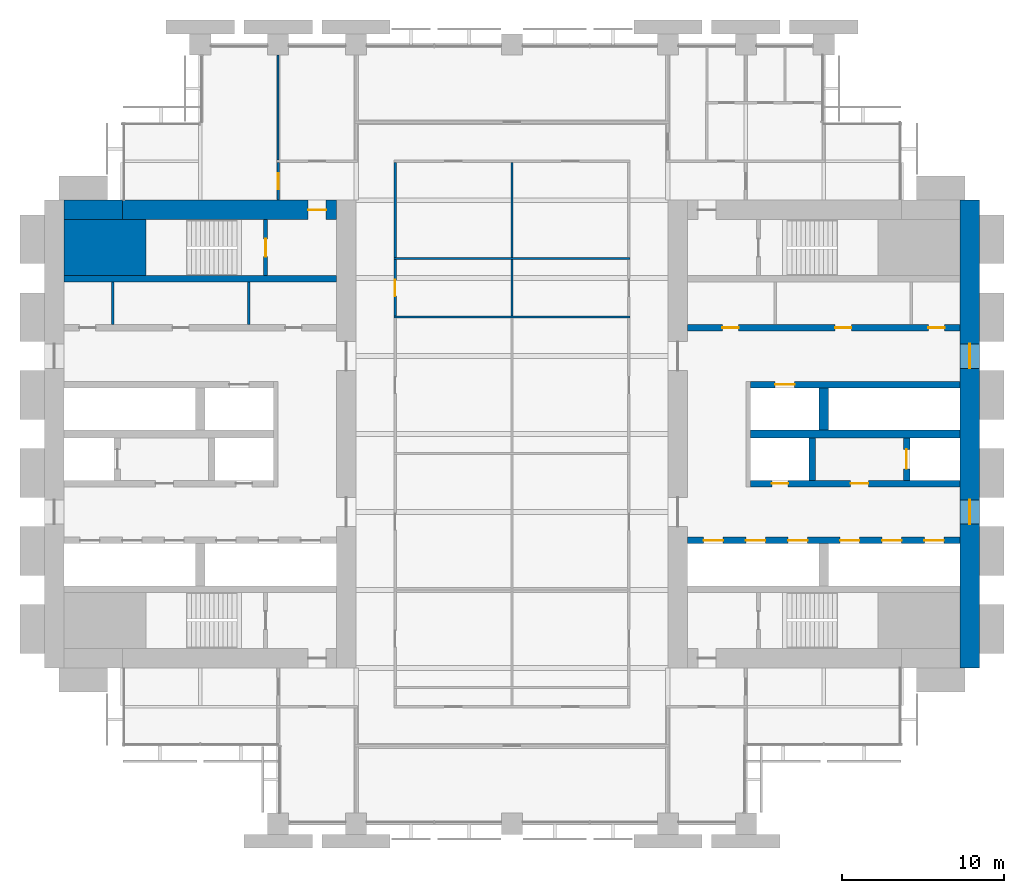
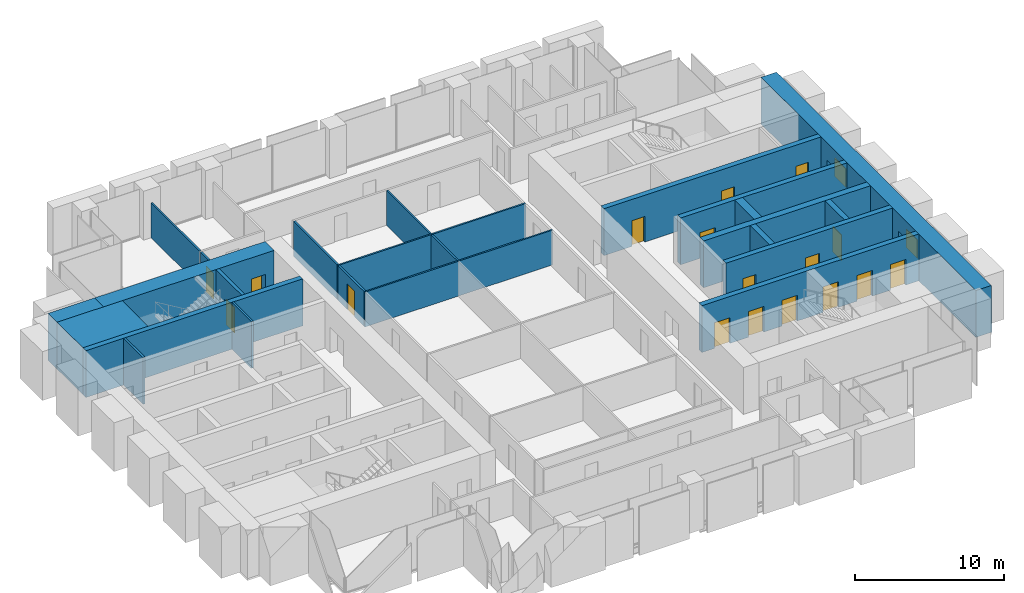
# One storey, part 11 of 14: 24 walls, 17 doors, 2 windows, 19 openings.
"""IFC4 building model written with IfcOpenShell, lengths in metres."""

from ifc_helpers import new_model, si_unit, direction, frame, frame_2d, origin, place, context, subcontext, project, spatial, rectangle, extrude, material, layer, layer_set, type_object, element, fill, save


model = new_model("IFC4")

# Units and contexts
model_context = context("Model", 3, precision=1e-05, world=origin(), true_north=direction((0.0, 1.0)))
body_context = subcontext(model_context, "Body", "Model", "MODEL_VIEW")
ifc_project = project(units=[si_unit("LENGTHUNIT", "METRE"), si_unit("AREAUNIT", "SQUARE_METRE"), si_unit("VOLUMEUNIT", "CUBIC_METRE"), si_unit("PLANEANGLEUNIT", "RADIAN"), si_unit("MASSUNIT", "GRAM", prefix="KILO")], contexts=[model_context])

# Site, building, storey
site_placement = place(None, origin())
site = spatial("IfcSite", under=ifc_project, at=site_placement, CompositionType="ELEMENT")
building_placement = place(site_placement, origin())
building = spatial("IfcBuilding", under=site, at=building_placement, Name="Baori Bourse Tower", CompositionType="ELEMENT")
storey_placement = place(building_placement, frame((0.0, 0.0, 79.0)))
storey = spatial("IfcBuildingStorey", under=building, at=storey_placement, Name="L17", CompositionType="ELEMENT", Elevation=79.0)

# Walls
ifc_material_1 = material(Name="Concrete f'c 70 MPa", Category="concrete")
wall_type_1 = type_object("IfcWallType", Name="Core corner block f'c 70", PredefinedType="SHEAR", material=ifc_material_1)
wall_1_placement = place(storey_placement, frame((1.199951171875, 35.47509765625, 0.0), z_axis=(0.0, 0.0, 1.0), x_axis=(1.0, 0.0, 0.0)))
element("IfcWall", 1, at=wall_1_placement, inside=storey, type_object=wall_type_1, Name="Core wall W21", PredefinedType="SHEAR", context=body_context, shape_type="SweptSolid", body=[
    extrude(rectangle(XDim=5.050048828125, YDim=3.449951171875, at=frame_2d((2.52490234375, 0.0))), origin(), (0.0, 0.0, 1.0), 3.840087890625),
])
ifc_material_2 = material(Name="Blockwork partition", Category="masonry")
ifc_layer_1 = layer(ifc_material_2, 0.14990234375)
ifc_layer_set_1 = layer_set([ifc_layer_1], Name="Core partition 150")
wall_type_2 = type_object("IfcWallType", Name="Core partition 150", PredefinedType="PARTITIONING", material=ifc_layer_set_1)
for number, where, z_axis, x_axis, name in (
    (2, (4.199951171875, 30.75, 0.0), (0.0, 0.0, 1.0), (0.0, 1.0, 0.0), "Partition wall W18"),
    (3, (12.60009765625, 30.75, 0.0), (0.0, 0.0, 1.0), (0.0, 1.0, 0.0), "Partition wall W19"),
):
    element("IfcWall", number, at=place(storey_placement, frame(where, z_axis=z_axis, x_axis=x_axis)), inside=storey, type_object=wall_type_2, Name=name, PredefinedType="PARTITIONING", context=body_context, shape_type="SweptSolid", body=[
        extrude(rectangle(XDim=2.60009765625, YDim=0.14990234375, at=frame_2d((1.300048828125, 0.0))), origin(), (0.0, 0.0, 1.0), 3.840087890625),
    ])
ifc_material_3 = material(Name="Concrete f'c 70 MPa", Category="concrete")
ifc_layer_2 = layer(ifc_material_3, 1.199951171875)
ifc_layer_set_2 = layer_set([ifc_layer_2], Name="Core wall 1200 f'c 70")
wall_type_3 = type_object("IfcWallType", Name="Core wall 1200 f'c 70", PredefinedType="SHEAR", material=ifc_layer_set_2)
wall_2_placement = place(storey_placement, frame((1.199951171875, 37.800048828125, 0.0), z_axis=(0.0, 0.0, 1.0), x_axis=(1.0, 0.0, 0.0)))
element("IfcWall", 4, at=wall_2_placement, inside=storey, type_object=wall_type_3, Name="Core wall W23", PredefinedType="SHEAR", context=body_context, shape_type="SweptSolid", body=[
    extrude(rectangle(XDim=3.60009765625, YDim=1.199951171875, at=frame_2d((1.800048828125, 0.0))), origin(), (0.0, 0.0, 1.0), 3.840087890625),
])

# Wall, opening, door
wall_3_placement = place(storey_placement, frame((4.800048828125, 37.800048828125, 0.0), z_axis=(0.0, 0.0, 1.0), x_axis=(1.0, 0.0, 0.0)))
wall_3 = element("IfcWall", 5, at=wall_3_placement, inside=storey, type_object=wall_type_3, Name="Core wall W24", PredefinedType="SHEAR", context=body_context, shape_type="SweptSolid", body=[
    extrude(rectangle(XDim=13.199951171875, YDim=1.199951171875, at=frame_2d((6.60009765625, 0.0))), origin(), (0.0, 0.0, 1.0), 3.840087890625),
])
opening_1_placement = place(wall_3_placement, frame((11.449951171875, 0.0, 0.0)))
opening_1 = element("IfcOpeningElement", 6, at=opening_1_placement, cuts=wall_3, Name="Opening L17-D104", PredefinedType="OPENING", context=body_context, shape_type="SweptSolid", body=[
    extrude(rectangle(XDim=1.10009765625, YDim=2.10009765625, at=frame_2d((0.550048828125, 1.050048828125))), frame((0.0, 0.60986328125, 0.0), z_axis=(0.0, -1.0, 0.0), x_axis=(1.0, 0.0, 0.0)), (0.0, 0.0, 1.0), 1.219970703125),
])
ifc_material_4 = material(Name="Painted steel door", Category="steel")
door_type_1 = type_object("IfcDoorType", Name="Stair door 1100", OperationType="SINGLE_SWING_LEFT", PredefinedType="DOOR", material=ifc_material_4)
door_1_placement = place(opening_1_placement, origin())
door_1 = element("IfcDoor", 7, at=door_1_placement, inside=storey, type_object=door_type_1, Name="Stair vestibule door B W L17", OperationType="SINGLE_SWING_LEFT", OverallHeight=2.10009765625, OverallWidth=1.10009765625, PredefinedType="DOOR", context=body_context, shape_type="SweptSolid", body=[
    extrude(rectangle(XDim=1.10009765625, YDim=2.10009765625, at=frame_2d((0.550048828125, 1.050048828125))), frame((0.0, 0.02490234375, 0.0), z_axis=(0.0, -1.0, 0.0), x_axis=(1.0, 0.0, 0.0)), (0.0, 0.0, 1.0), 0.050048828125),
])
fill(opening_1, door_1)

# Wall, openings, windows
wall_4_placement = place(storey_placement, frame((57.0, 38.39990234375, 0.0), z_axis=(0.0, 0.0, 1.0), x_axis=(0.0, -1.0, 0.0)))
wall_4 = element("IfcWall", 8, at=wall_4_placement, inside=storey, type_object=wall_type_3, Name="Core wall E01", PredefinedType="SHEAR", context=body_context, shape_type="SweptSolid", body=[
    extrude(rectangle(XDim=28.7998046875, YDim=1.199951171875, at=frame_2d((14.39990234375, 0.0))), origin(), (0.0, 0.0, 1.0), 3.840087890625),
])
opening_2_placement = place(wall_4_placement, frame((18.449951171875, 0.0, 0.89990234375)))
opening_2 = element("IfcOpeningElement", 9, at=opening_2_placement, cuts=wall_4, Name="Opening L17-KW201", PredefinedType="OPENING", context=body_context, shape_type="SweptSolid", body=[
    extrude(rectangle(XDim=1.5, YDim=1.5, at=frame_2d((0.75, 0.75))), frame((0.0, 0.60986328125, 0.0), z_axis=(0.0, -1.0, 0.0), x_axis=(1.0, 0.0, 0.0)), (0.0, 0.0, 1.0), 1.219970703125),
])
opening_3_placement = place(wall_4_placement, frame((8.85009765625, 0.0, 0.89990234375)))
opening_3 = element("IfcOpeningElement", 10, at=opening_3_placement, cuts=wall_4, Name="Opening L17-KW202", PredefinedType="OPENING", context=body_context, shape_type="SweptSolid", body=[
    extrude(rectangle(XDim=1.5, YDim=1.5, at=frame_2d((0.75, 0.75))), frame((0.0, 0.60986328125, 0.0), z_axis=(0.0, -1.0, 0.0), x_axis=(1.0, 0.0, 0.0)), (0.0, 0.0, 1.0), 1.219970703125),
])
ifc_material_5 = material(Name="Pale anodised aluminium", Category="aluminium")
window_type = type_object("IfcWindowType", Name="Lobby window 1500 x 1500", PartitioningType="SINGLE_PANEL", PredefinedType="WINDOW", material=ifc_material_5)
window_1_placement = place(opening_2_placement, origin())
window_1 = element("IfcWindow", 11, at=window_1_placement, inside=storey, type_object=window_type, Name="Outer wall window E L17 1", OverallHeight=1.5, OverallWidth=1.5, PartitioningType="SINGLE_PANEL", PredefinedType="WINDOW", context=body_context, shape_type="SweptSolid", body=[
    extrude(rectangle(XDim=1.5, YDim=1.5, at=frame_2d((0.75, 0.75))), frame((0.0, 0.030029296875, 0.0), z_axis=(0.0, -1.0, 0.0), x_axis=(1.0, 0.0, 0.0)), (0.0, 0.0, 1.0), 0.06005859375),
])
fill(opening_2, window_1)
window_2_placement = place(opening_3_placement, origin())
window_2 = element("IfcWindow", 12, at=window_2_placement, inside=storey, type_object=window_type, Name="Outer wall window E L17 2", OverallHeight=1.5, OverallWidth=1.5, PartitioningType="SINGLE_PANEL", PredefinedType="WINDOW", context=body_context, shape_type="SweptSolid", body=[
    extrude(rectangle(XDim=1.5, YDim=1.5, at=frame_2d((0.75, 0.75))), frame((0.0, 0.030029296875, 0.0), z_axis=(0.0, -1.0, 0.0), x_axis=(1.0, 0.0, 0.0)), (0.0, 0.0, 1.0), 0.06005859375),
])
fill(opening_3, window_2)

# Wall, opening, door
ifc_material_6 = material(Name="Gypsum board partition")
ifc_layer_3 = layer(ifc_material_6, 0.14990234375)
ifc_layer_set_3 = layer_set([ifc_layer_3], Name="Corridor partition 150")
wall_type_4 = type_object("IfcWallType", Name="Corridor partition 150", PredefinedType="PARTITIONING", material=ifc_layer_set_3)
wall_5_placement = place(storey_placement, frame((14.39990234375, 38.39990234375, 0.0), z_axis=(0.0, 0.0, 1.0), x_axis=(0.0, 1.0, 0.0)))
wall_5 = element("IfcWall", 13, at=wall_5_placement, inside=storey, type_object=wall_type_4, Name="Partition", PredefinedType="PARTITIONING", context=body_context, shape_type="SweptSolid", body=[
    extrude(rectangle(XDim=2.3251953125, YDim=0.14990234375, at=frame_2d((1.16259765625, 0.0))), origin(), (0.0, 0.0, 1.0), 2.849365234375),
])
opening_4_placement = place(wall_5_placement, frame((0.66259765625, 0.0, 0.0)))
opening_4 = element("IfcOpeningElement", 14, at=opening_4_placement, cuts=wall_5, Name="Opening L17-D15", PredefinedType="OPENING", context=body_context, shape_type="SweptSolid", body=[
    extrude(rectangle(XDim=1.0, YDim=2.10009765625, at=frame_2d((0.5, 1.050048828125))), frame((0.0, 0.0849609375, 0.0), z_axis=(0.0, -1.0, 0.0), x_axis=(1.0, 0.0, 0.0)), (0.0, 0.0, 1.0), 0.169921875),
])
ifc_material_7 = material(Name="Timber door leaf", Category="wood")
door_type_2 = type_object("IfcDoorType", Name="Door 1000 x 2100", OperationType="SINGLE_SWING_LEFT", PredefinedType="DOOR", material=ifc_material_7)
door_2_placement = place(opening_4_placement, origin())
door_2 = element("IfcDoor", 15, at=door_2_placement, inside=storey, type_object=door_type_2, Name="Door", OperationType="SINGLE_SWING_RIGHT", OverallHeight=2.10009765625, OverallWidth=1.0, PredefinedType="DOOR", context=body_context, shape_type="SweptSolid", body=[
    extrude(rectangle(XDim=1.0, YDim=2.10009765625, at=frame_2d((0.5, 1.050048828125))), frame((0.0, 0.02490234375, 0.0), z_axis=(0.0, -1.0, 0.0), x_axis=(1.0, 0.0, 0.0)), (0.0, 0.0, 1.0), 0.050048828125),
])
fill(opening_4, door_2)

wall_6_placement = place(storey_placement, frame((21.60009765625, 31.262451171875, 0.0), z_axis=(0.0, 0.0, 1.0), x_axis=(0.0, 1.0, 0.0)))
wall_6 = element("IfcWall", 16, at=wall_6_placement, inside=storey, type_object=wall_type_4, Name="Partition", PredefinedType="PARTITIONING", context=body_context, shape_type="SweptSolid", body=[
    extrude(rectangle(XDim=3.47509765625, YDim=0.14990234375, at=frame_2d((1.737548828125, 0.0))), origin(), (0.0, 0.0, 1.0), 2.849365234375),
])
opening_5_placement = place(wall_6_placement, frame((1.237548828125, 0.0, 0.0)))
opening_5 = element("IfcOpeningElement", 17, at=opening_5_placement, cuts=wall_6, Name="Opening L17-D19", PredefinedType="OPENING", context=body_context, shape_type="SweptSolid", body=[
    extrude(rectangle(XDim=1.0, YDim=2.10009765625, at=frame_2d((0.5, 1.050048828125))), frame((0.0, 0.0849609375, 0.0), z_axis=(0.0, -1.0, 0.0), x_axis=(1.0, 0.0, 0.0)), (0.0, 0.0, 1.0), 0.169921875),
])
door_3_placement = place(opening_5_placement, origin())
door_3 = element("IfcDoor", 18, at=door_3_placement, inside=storey, type_object=door_type_2, Name="Door", OperationType="SINGLE_SWING_RIGHT", OverallHeight=2.10009765625, OverallWidth=1.0, PredefinedType="DOOR", context=body_context, shape_type="SweptSolid", body=[
    extrude(rectangle(XDim=1.0, YDim=2.10009765625, at=frame_2d((0.5, 1.050048828125))), frame((0.0, 0.02490234375, 0.0), z_axis=(0.0, -1.0, 0.0), x_axis=(1.0, 0.0, 0.0)), (0.0, 0.0, 1.0), 0.050048828125),
])
fill(opening_5, door_3)

# Walls
wall_7_placement = place(storey_placement, frame((21.60009765625, 34.862548828125, 0.0), z_axis=(0.0, 0.0, 1.0), x_axis=(0.0, 1.0, 0.0)))
element("IfcWall", 19, at=wall_7_placement, inside=storey, type_object=wall_type_4, Name="Partition", PredefinedType="PARTITIONING", context=body_context, shape_type="SweptSolid", body=[
    extrude(rectangle(XDim=5.862548828125, YDim=0.14990234375, at=frame_2d((2.93115234375, 0.0))), origin(), (0.0, 0.0, 1.0), 2.849365234375),
])
ifc_material_8 = material(Name="Gypsum board partition")
ifc_layer_4 = layer(ifc_material_8, 0.125)
ifc_layer_set_4 = layer_set([ifc_layer_4], Name="Partition 125")
wall_type_5 = type_object("IfcWallType", Name="Partition 125", PredefinedType="PARTITIONING", material=ifc_layer_set_4)
for number, where, z_axis, x_axis, name in (
    (20, (21.52490234375, 31.199951171875, 0.0), (0.0, 0.0, 1.0), (1.0, 0.0, 0.0), "Partition"),
    (21, (21.52490234375, 34.800048828125, 0.0), (0.0, 0.0, 1.0), (1.0, 0.0, 0.0), "Partition"),
):
    element("IfcWall", number, at=place(storey_placement, frame(where, z_axis=z_axis, x_axis=x_axis)), inside=storey, type_object=wall_type_5, Name=name, PredefinedType="PARTITIONING", context=body_context, shape_type="SweptSolid", body=[
        extrude(rectangle(XDim=14.550048828125, YDim=0.125, at=frame_2d((7.27490234375, 0.0))), origin(), (0.0, 0.0, 1.0), 2.849365234375),
    ])
wall_8_placement = place(storey_placement, frame((14.39990234375, 40.875, 0.0), z_axis=(0.0, 0.0, 1.0), x_axis=(0.0, 1.0, 0.0)))
element("IfcWall", 22, at=wall_8_placement, inside=storey, type_object=wall_type_5, Name="Partition", PredefinedType="PARTITIONING", context=body_context, shape_type="SweptSolid", body=[
    extrude(rectangle(XDim=6.47509765625, YDim=0.125, at=frame_2d((3.237548828125, 0.0))), origin(), (0.0, 0.0, 1.0), 2.849365234375),
])
wall_9_placement = place(storey_placement, frame((28.800048828125, 31.262451171875, 0.0), z_axis=(0.0, 0.0, 1.0), x_axis=(0.0, 1.0, 0.0)))
element("IfcWall", 23, at=wall_9_placement, inside=storey, type_object=wall_type_5, Name="Partition", PredefinedType="PARTITIONING", context=body_context, shape_type="SweptSolid", body=[
    extrude(rectangle(XDim=3.47509765625, YDim=0.125, at=frame_2d((1.737548828125, 0.0))), origin(), (0.0, 0.0, 1.0), 2.849365234375),
])
wall_10_placement = place(storey_placement, frame((28.800048828125, 34.862548828125, 0.0), z_axis=(0.0, 0.0, 1.0), x_axis=(0.0, 1.0, 0.0)))
element("IfcWall", 24, at=wall_10_placement, inside=storey, type_object=wall_type_5, Name="Partition", PredefinedType="PARTITIONING", context=body_context, shape_type="SweptSolid", body=[
    extrude(rectangle(XDim=5.862548828125, YDim=0.125, at=frame_2d((2.93115234375, 0.0))), origin(), (0.0, 0.0, 1.0), 2.849365234375),
])

# Wall, opening, door
ifc_material_9 = material(Name="Concrete f'c 70 MPa", Category="concrete")
ifc_layer_5 = layer(ifc_material_9, 0.25)
ifc_layer_set_5 = layer_set([ifc_layer_5], Name="Shaft wall 250 f'c 70")
wall_type_6 = type_object("IfcWallType", Name="Shaft wall 250 f'c 70", PredefinedType="SHEAR", material=ifc_layer_set_5)
wall_11_placement = place(storey_placement, frame((13.625, 33.75, 0.0), z_axis=(0.0, 0.0, 1.0), x_axis=(0.0, 1.0, 0.0)))
wall_11 = element("IfcWall", 25, at=wall_11_placement, inside=storey, type_object=wall_type_6, Name="Core wall W22", PredefinedType="SHEAR", context=body_context, shape_type="SweptSolid", body=[
    extrude(rectangle(XDim=3.449951171875, YDim=0.25, at=frame_2d((1.72509765625, 0.0))), origin(), (0.0, 0.0, 1.0), 3.840087890625),
])
opening_6_placement = place(wall_11_placement, frame((1.175048828125, 0.0, 0.0)))
opening_6 = element("IfcOpeningElement", 26, at=opening_6_placement, cuts=wall_11, Name="Opening L17-D103", PredefinedType="OPENING", context=body_context, shape_type="SweptSolid", body=[
    extrude(rectangle(XDim=1.10009765625, YDim=2.10009765625, at=frame_2d((0.550048828125, 1.050048828125))), frame((0.0, 0.135009765625, 0.0), z_axis=(0.0, -1.0, 0.0), x_axis=(1.0, 0.0, 0.0)), (0.0, 0.0, 1.0), 0.27001953125),
])
door_4_placement = place(opening_6_placement, origin())
door_4 = element("IfcDoor", 27, at=door_4_placement, inside=storey, type_object=door_type_1, Name="Stair door B W L17", OperationType="SINGLE_SWING_LEFT", OverallHeight=2.10009765625, OverallWidth=1.10009765625, PredefinedType="DOOR", context=body_context, shape_type="SweptSolid", body=[
    extrude(rectangle(XDim=1.10009765625, YDim=2.10009765625, at=frame_2d((0.550048828125, 1.050048828125))), frame((0.0, 0.02490234375, 0.0), z_axis=(0.0, -1.0, 0.0), x_axis=(1.0, 0.0, 0.0)), (0.0, 0.0, 1.0), 0.050048828125),
])
fill(opening_6, door_4)

# Wall
ifc_material_10 = material(Name="Concrete f'c 70 MPa", Category="concrete")
ifc_layer_6 = layer(ifc_material_10, 0.39990234375)
ifc_layer_set_6 = layer_set([ifc_layer_6], Name="Shaft wall 400 f'c 70")
wall_type_7 = type_object("IfcWallType", Name="Shaft wall 400 f'c 70", PredefinedType="SHEAR", material=ifc_layer_set_6)
wall_12_placement = place(storey_placement, frame((1.199951171875, 33.550048828125, 0.0), z_axis=(0.0, 0.0, 1.0), x_axis=(1.0, 0.0, 0.0)))
element("IfcWall", 28, at=wall_12_placement, inside=storey, type_object=wall_type_7, Name="Core wall W20", PredefinedType="SHEAR", context=body_context, shape_type="SweptSolid", body=[
    extrude(rectangle(XDim=16.800048828125, YDim=0.39990234375, at=frame_2d((8.39990234375, 0.0))), origin(), (0.0, 0.0, 1.0), 3.840087890625),
])

# Wall, openings, doors
wall_13_placement = place(storey_placement, frame((39.60009765625, 17.449951171875, 0.0), z_axis=(0.0, 0.0, 1.0), x_axis=(1.0, 0.0, 0.0)))
wall_13 = element("IfcWall", 29, at=wall_13_placement, inside=storey, type_object=wall_type_7, Name="Core wall E09", PredefinedType="SHEAR", context=body_context, shape_type="SweptSolid", body=[
    extrude(rectangle(XDim=16.7998046875, YDim=0.39990234375, at=frame_2d((8.39990234375, 0.0))), origin(), (0.0, 0.0, 1.0), 3.840087890625),
])
opening_7_placement = place(wall_13_placement, frame((14.60009765625, 0.0, 0.0)))
opening_7 = element("IfcOpeningElement", 30, at=opening_7_placement, cuts=wall_13, Name="Opening L17-D212", PredefinedType="OPENING", context=body_context, shape_type="SweptSolid", body=[
    extrude(rectangle(XDim=1.199951171875, YDim=2.10009765625, at=frame_2d((0.60009765625, 1.050048828125))), frame((0.0, 0.2099609375, 0.0), z_axis=(0.0, -1.0, 0.0), x_axis=(1.0, 0.0, 0.0)), (0.0, 0.0, 1.0), 0.419921875),
])
opening_8_placement = place(wall_13_placement, frame((12.0, 0.0, 0.0)))
opening_8 = element("IfcOpeningElement", 31, at=opening_8_placement, cuts=wall_13, Name="Opening L17-D213", PredefinedType="OPENING", context=body_context, shape_type="SweptSolid", body=[
    extrude(rectangle(XDim=1.199951171875, YDim=2.10009765625, at=frame_2d((0.60009765625, 1.050048828125))), frame((0.0, 0.2099609375, 0.0), z_axis=(0.0, -1.0, 0.0), x_axis=(1.0, 0.0, 0.0)), (0.0, 0.0, 1.0), 0.419921875),
])
opening_9_placement = place(wall_13_placement, frame((9.39990234375, 0.0, 0.0)))
opening_9 = element("IfcOpeningElement", 32, at=opening_9_placement, cuts=wall_13, Name="Opening L17-D214", PredefinedType="OPENING", context=body_context, shape_type="SweptSolid", body=[
    extrude(rectangle(XDim=1.199951171875, YDim=2.10009765625, at=frame_2d((0.60009765625, 1.050048828125))), frame((0.0, 0.2099609375, 0.0), z_axis=(0.0, -1.0, 0.0), x_axis=(1.0, 0.0, 0.0)), (0.0, 0.0, 1.0), 0.419921875),
])
opening_10_placement = place(wall_13_placement, frame((6.199951171875, 0.0, 0.0)))
opening_10 = element("IfcOpeningElement", 33, at=opening_10_placement, cuts=wall_13, Name="Opening L17-D215", PredefinedType="OPENING", context=body_context, shape_type="SweptSolid", body=[
    extrude(rectangle(XDim=1.199951171875, YDim=2.10009765625, at=frame_2d((0.60009765625, 1.050048828125))), frame((0.0, 0.2099609375, 0.0), z_axis=(0.0, -1.0, 0.0), x_axis=(1.0, 0.0, 0.0)), (0.0, 0.0, 1.0), 0.419921875),
])
opening_11_placement = place(wall_13_placement, frame((3.60009765625, 0.0, 0.0)))
opening_11 = element("IfcOpeningElement", 34, at=opening_11_placement, cuts=wall_13, Name="Opening L17-D216", PredefinedType="OPENING", context=body_context, shape_type="SweptSolid", body=[
    extrude(rectangle(XDim=1.199951171875, YDim=2.10009765625, at=frame_2d((0.60009765625, 1.050048828125))), frame((0.0, 0.2099609375, 0.0), z_axis=(0.0, -1.0, 0.0), x_axis=(1.0, 0.0, 0.0)), (0.0, 0.0, 1.0), 0.419921875),
])
opening_12_placement = place(wall_13_placement, frame((1.0, 0.0, 0.0)))
opening_12 = element("IfcOpeningElement", 35, at=opening_12_placement, cuts=wall_13, Name="Opening L17-D217", PredefinedType="OPENING", context=body_context, shape_type="SweptSolid", body=[
    extrude(rectangle(XDim=1.199951171875, YDim=2.10009765625, at=frame_2d((0.60009765625, 1.050048828125))), frame((0.0, 0.2099609375, 0.0), z_axis=(0.0, -1.0, 0.0), x_axis=(1.0, 0.0, 0.0)), (0.0, 0.0, 1.0), 0.419921875),
])
ifc_material_11 = material(Name="Stainless steel door", Category="steel")
door_type_3 = type_object("IfcDoorType", Name="Lift landing door", OperationType="DOUBLE_DOOR_SLIDING", PredefinedType="DOOR", material=ifc_material_11)
door_5_placement = place(opening_7_placement, origin())
door_5 = element("IfcDoor", 36, at=door_5_placement, inside=storey, type_object=door_type_3, Name="Lift landing door LR1 E L17", OperationType="DOUBLE_DOOR_SLIDING", OverallHeight=2.10009765625, OverallWidth=1.199951171875, PredefinedType="DOOR", context=body_context, shape_type="SweptSolid", body=[
    extrude(rectangle(XDim=1.199951171875, YDim=2.10009765625, at=frame_2d((0.60009765625, 1.050048828125))), frame((0.0, 0.02490234375, 0.0), z_axis=(0.0, -1.0, 0.0), x_axis=(1.0, 0.0, 0.0)), (0.0, 0.0, 1.0), 0.050048828125),
])
fill(opening_7, door_5)
door_6_placement = place(opening_8_placement, origin())
door_6 = element("IfcDoor", 37, at=door_6_placement, inside=storey, type_object=door_type_3, Name="Lift landing door LR2 E L17", OperationType="DOUBLE_DOOR_SLIDING", OverallHeight=2.10009765625, OverallWidth=1.199951171875, PredefinedType="DOOR", context=body_context, shape_type="SweptSolid", body=[
    extrude(rectangle(XDim=1.199951171875, YDim=2.10009765625, at=frame_2d((0.60009765625, 1.050048828125))), frame((0.0, 0.02490234375, 0.0), z_axis=(0.0, -1.0, 0.0), x_axis=(1.0, 0.0, 0.0)), (0.0, 0.0, 1.0), 0.050048828125),
])
fill(opening_8, door_6)
door_7_placement = place(opening_9_placement, origin())
door_7 = element("IfcDoor", 38, at=door_7_placement, inside=storey, type_object=door_type_3, Name="Lift landing door LR3 E L17", OperationType="DOUBLE_DOOR_SLIDING", OverallHeight=2.10009765625, OverallWidth=1.199951171875, PredefinedType="DOOR", context=body_context, shape_type="SweptSolid", body=[
    extrude(rectangle(XDim=1.199951171875, YDim=2.10009765625, at=frame_2d((0.60009765625, 1.050048828125))), frame((0.0, 0.02490234375, 0.0), z_axis=(0.0, -1.0, 0.0), x_axis=(1.0, 0.0, 0.0)), (0.0, 0.0, 1.0), 0.050048828125),
])
fill(opening_9, door_7)
door_8_placement = place(opening_10_placement, origin())
door_8 = element("IfcDoor", 39, at=door_8_placement, inside=storey, type_object=door_type_3, Name="Lift landing door LR4 E L17", OperationType="DOUBLE_DOOR_SLIDING", OverallHeight=2.10009765625, OverallWidth=1.199951171875, PredefinedType="DOOR", context=body_context, shape_type="SweptSolid", body=[
    extrude(rectangle(XDim=1.199951171875, YDim=2.10009765625, at=frame_2d((0.60009765625, 1.050048828125))), frame((0.0, 0.02490234375, 0.0), z_axis=(0.0, -1.0, 0.0), x_axis=(1.0, 0.0, 0.0)), (0.0, 0.0, 1.0), 0.050048828125),
])
fill(opening_10, door_8)
door_9_placement = place(opening_11_placement, origin())
door_9 = element("IfcDoor", 40, at=door_9_placement, inside=storey, type_object=door_type_3, Name="Lift landing door LR5 E L17", OperationType="DOUBLE_DOOR_SLIDING", OverallHeight=2.10009765625, OverallWidth=1.199951171875, PredefinedType="DOOR", context=body_context, shape_type="SweptSolid", body=[
    extrude(rectangle(XDim=1.199951171875, YDim=2.10009765625, at=frame_2d((0.60009765625, 1.050048828125))), frame((0.0, 0.02490234375, 0.0), z_axis=(0.0, -1.0, 0.0), x_axis=(1.0, 0.0, 0.0)), (0.0, 0.0, 1.0), 0.050048828125),
])
fill(opening_11, door_9)
door_10_placement = place(opening_12_placement, origin())
door_10 = element("IfcDoor", 41, at=door_10_placement, inside=storey, type_object=door_type_3, Name="Lift landing door LR6 E L17", OperationType="DOUBLE_DOOR_SLIDING", OverallHeight=2.10009765625, OverallWidth=1.199951171875, PredefinedType="DOOR", context=body_context, shape_type="SweptSolid", body=[
    extrude(rectangle(XDim=1.199951171875, YDim=2.10009765625, at=frame_2d((0.60009765625, 1.050048828125))), frame((0.0, 0.02490234375, 0.0), z_axis=(0.0, -1.0, 0.0), x_axis=(1.0, 0.0, 0.0)), (0.0, 0.0, 1.0), 0.050048828125),
])
fill(opening_12, door_10)

wall_14_placement = place(storey_placement, frame((43.5, 20.949951171875, 0.0), z_axis=(0.0, 0.0, 1.0), x_axis=(1.0, 0.0, 0.0)))
wall_14 = element("IfcWall", 42, at=wall_14_placement, inside=storey, type_object=wall_type_7, Name="Core wall E10", PredefinedType="SHEAR", context=body_context, shape_type="SweptSolid", body=[
    extrude(rectangle(XDim=12.89990234375, YDim=0.39990234375, at=frame_2d((6.449951171875, 0.0))), origin(), (0.0, 0.0, 1.0), 3.840087890625),
])
opening_13_placement = place(wall_14_placement, frame((6.14990234375, 0.0, 0.0)))
opening_13 = element("IfcOpeningElement", 43, at=opening_13_placement, cuts=wall_14, Name="Opening L17-D205", PredefinedType="OPENING", context=body_context, shape_type="SweptSolid", body=[
    extrude(rectangle(XDim=1.10009765625, YDim=2.10009765625, at=frame_2d((0.550048828125, 1.050048828125))), frame((0.0, 0.2099609375, 0.0), z_axis=(0.0, -1.0, 0.0), x_axis=(1.0, 0.0, 0.0)), (0.0, 0.0, 1.0), 0.419921875),
])
opening_14_placement = place(wall_14_placement, frame((1.300048828125, 0.0, 0.0)))
opening_14 = element("IfcOpeningElement", 44, at=opening_14_placement, cuts=wall_14, Name="Opening L17-D206", PredefinedType="OPENING", context=body_context, shape_type="SweptSolid", body=[
    extrude(rectangle(XDim=1.0, YDim=2.10009765625, at=frame_2d((0.5, 1.050048828125))), frame((0.0, 0.2099609375, 0.0), z_axis=(0.0, -1.0, 0.0), x_axis=(1.0, 0.0, 0.0)), (0.0, 0.0, 1.0), 0.419921875),
])
ifc_material_12 = material(Name="Painted steel door", Category="steel")
door_type_4 = type_object("IfcDoorType", Name="Lobby door 1100", OperationType="SINGLE_SWING_LEFT", PredefinedType="DOOR", material=ifc_material_12)
door_11_placement = place(opening_13_placement, origin())
door_11 = element("IfcDoor", 45, at=door_11_placement, inside=storey, type_object=door_type_4, Name="Firefighting lobby door E L17", OperationType="SINGLE_SWING_LEFT", OverallHeight=2.10009765625, OverallWidth=1.10009765625, PredefinedType="DOOR", context=body_context, shape_type="SweptSolid", body=[
    extrude(rectangle(XDim=1.10009765625, YDim=2.10009765625, at=frame_2d((0.550048828125, 1.050048828125))), frame((0.0, 0.02490234375, 0.0), z_axis=(0.0, -1.0, 0.0), x_axis=(1.0, 0.0, 0.0)), (0.0, 0.0, 1.0), 0.050048828125),
])
fill(opening_13, door_11)
ifc_material_13 = material(Name="Painted steel door", Category="steel")
door_type_5 = type_object("IfcDoorType", Name="Shaft door 1000", OperationType="SINGLE_SWING_LEFT", PredefinedType="DOOR", material=ifc_material_13)
door_12_placement = place(opening_14_placement, origin())
door_12 = element("IfcDoor", 46, at=door_12_placement, inside=storey, type_object=door_type_5, Name="Riser room door E L17", OperationType="SINGLE_SWING_LEFT", OverallHeight=2.10009765625, OverallWidth=1.0, PredefinedType="DOOR", context=body_context, shape_type="SweptSolid", body=[
    extrude(rectangle(XDim=1.0, YDim=2.10009765625, at=frame_2d((0.5, 1.050048828125))), frame((0.0, 0.02490234375, 0.0), z_axis=(0.0, -1.0, 0.0), x_axis=(1.0, 0.0, 0.0)), (0.0, 0.0, 1.0), 0.050048828125),
])
fill(opening_14, door_12)

# Wall, opening, door
wall_15_placement = place(storey_placement, frame((53.10009765625, 21.14990234375, 0.0), z_axis=(0.0, 0.0, 1.0), x_axis=(0.0, 1.0, 0.0)))
wall_15 = element("IfcWall", 47, at=wall_15_placement, inside=storey, type_object=wall_type_7, Name="Core wall E12", PredefinedType="SHEAR", context=body_context, shape_type="SweptSolid", body=[
    extrude(rectangle(XDim=2.60009765625, YDim=0.39990234375, at=frame_2d((1.300048828125, 0.0))), origin(), (0.0, 0.0, 1.0), 3.840087890625),
])
opening_15_placement = place(wall_15_placement, frame((0.699951171875, 0.0, 0.0)))
opening_15 = element("IfcOpeningElement", 48, at=opening_15_placement, cuts=wall_15, Name="Opening L17-D219", PredefinedType="OPENING", context=body_context, shape_type="SweptSolid", body=[
    extrude(rectangle(XDim=1.199951171875, YDim=2.10009765625, at=frame_2d((0.60009765625, 1.050048828125))), frame((0.0, 0.2099609375, 0.0), z_axis=(0.0, -1.0, 0.0), x_axis=(1.0, 0.0, 0.0)), (0.0, 0.0, 1.0), 0.419921875),
])
door_13_placement = place(opening_15_placement, origin())
door_13 = element("IfcDoor", 49, at=door_13_placement, inside=storey, type_object=door_type_3, Name="Lift landing door FF2 E L17", OperationType="DOUBLE_DOOR_SLIDING", OverallHeight=2.10009765625, OverallWidth=1.199951171875, PredefinedType="DOOR", context=body_context, shape_type="SweptSolid", body=[
    extrude(rectangle(XDim=1.199951171875, YDim=2.10009765625, at=frame_2d((0.60009765625, 1.050048828125))), frame((0.0, 0.02490234375, 0.0), z_axis=(0.0, -1.0, 0.0), x_axis=(1.0, 0.0, 0.0)), (0.0, 0.0, 1.0), 0.050048828125),
])
fill(opening_15, door_13)

# Wall
wall_16_placement = place(storey_placement, frame((47.300048828125, 21.14990234375, 0.0), z_axis=(0.0, 0.0, 1.0), x_axis=(0.0, 1.0, 0.0)))
element("IfcWall", 50, at=wall_16_placement, inside=storey, type_object=wall_type_7, Name="Core wall E13", PredefinedType="SHEAR", context=body_context, shape_type="SweptSolid", body=[
    extrude(rectangle(XDim=2.60009765625, YDim=0.39990234375, at=frame_2d((1.300048828125, 0.0))), origin(), (0.0, 0.0, 1.0), 3.840087890625),
])

# Wall, opening, door
wall_17_placement = place(storey_placement, frame((43.5, 27.050048828125, 0.0), z_axis=(0.0, 0.0, 1.0), x_axis=(1.0, 0.0, 0.0)))
wall_17 = element("IfcWall", 51, at=wall_17_placement, inside=storey, type_object=wall_type_7, Name="Core wall E16", PredefinedType="SHEAR", context=body_context, shape_type="SweptSolid", body=[
    extrude(rectangle(XDim=12.89990234375, YDim=0.39990234375, at=frame_2d((6.449951171875, 0.0))), origin(), (0.0, 0.0, 1.0), 3.840087890625),
])
opening_16_placement = place(wall_17_placement, frame((1.5, 0.0, 0.0)))
opening_16 = element("IfcOpeningElement", 52, at=opening_16_placement, cuts=wall_17, Name="Opening L17-D218", PredefinedType="OPENING", context=body_context, shape_type="SweptSolid", body=[
    extrude(rectangle(XDim=1.199951171875, YDim=2.10009765625, at=frame_2d((0.60009765625, 1.050048828125))), frame((0.0, 0.2099609375, 0.0), z_axis=(0.0, -1.0, 0.0), x_axis=(1.0, 0.0, 0.0)), (0.0, 0.0, 1.0), 0.419921875),
])
door_14_placement = place(opening_16_placement, origin())
door_14 = element("IfcDoor", 53, at=door_14_placement, inside=storey, type_object=door_type_3, Name="Lift landing door SV1 E L17", OperationType="DOUBLE_DOOR_SLIDING", OverallHeight=2.10009765625, OverallWidth=1.199951171875, PredefinedType="DOOR", context=body_context, shape_type="SweptSolid", body=[
    extrude(rectangle(XDim=1.199951171875, YDim=2.10009765625, at=frame_2d((0.60009765625, 1.050048828125))), frame((0.0, 0.02490234375, 0.0), z_axis=(0.0, -1.0, 0.0), x_axis=(1.0, 0.0, 0.0)), (0.0, 0.0, 1.0), 0.050048828125),
])
fill(opening_16, door_14)

# Wall, openings, doors
wall_18_placement = place(storey_placement, frame((39.60009765625, 30.550048828125, 0.0), z_axis=(0.0, 0.0, 1.0), x_axis=(1.0, 0.0, 0.0)))
wall_18 = element("IfcWall", 54, at=wall_18_placement, inside=storey, type_object=wall_type_7, Name="Core wall E17", PredefinedType="SHEAR", context=body_context, shape_type="SweptSolid", body=[
    extrude(rectangle(XDim=16.7998046875, YDim=0.39990234375, at=frame_2d((8.39990234375, 0.0))), origin(), (0.0, 0.0, 1.0), 3.840087890625),
])
opening_17_placement = place(wall_18_placement, frame((14.83740234375, 0.0, 0.0)))
opening_17 = element("IfcOpeningElement", 55, at=opening_17_placement, cuts=wall_18, Name="Opening L17-D209", PredefinedType="OPENING", context=body_context, shape_type="SweptSolid", body=[
    extrude(rectangle(XDim=1.0, YDim=2.10009765625, at=frame_2d((0.5, 1.050048828125))), frame((0.0, 0.2099609375, 0.0), z_axis=(0.0, -1.0, 0.0), x_axis=(1.0, 0.0, 0.0)), (0.0, 0.0, 1.0), 0.419921875),
])
opening_18_placement = place(wall_18_placement, frame((9.10009765625, 0.0, 0.0)))
opening_18 = element("IfcOpeningElement", 56, at=opening_18_placement, cuts=wall_18, Name="Opening L17-D210", PredefinedType="OPENING", context=body_context, shape_type="SweptSolid", body=[
    extrude(rectangle(XDim=1.0, YDim=2.10009765625, at=frame_2d((0.5, 1.050048828125))), frame((0.0, 0.2099609375, 0.0), z_axis=(0.0, -1.0, 0.0), x_axis=(1.0, 0.0, 0.0)), (0.0, 0.0, 1.0), 0.419921875),
])
opening_19_placement = place(wall_18_placement, frame((2.16259765625, 0.0, 0.0)))
opening_19 = element("IfcOpeningElement", 57, at=opening_19_placement, cuts=wall_18, Name="Opening L17-D211", PredefinedType="OPENING", context=body_context, shape_type="SweptSolid", body=[
    extrude(rectangle(XDim=1.0, YDim=2.10009765625, at=frame_2d((0.5, 1.050048828125))), frame((0.0, 0.2099609375, 0.0), z_axis=(0.0, -1.0, 0.0), x_axis=(1.0, 0.0, 0.0)), (0.0, 0.0, 1.0), 0.419921875),
])
ifc_material_14 = material(Name="Painted steel door", Category="steel")
door_type_6 = type_object("IfcDoorType", Name="Core door 1000", OperationType="SINGLE_SWING_LEFT", PredefinedType="DOOR", material=ifc_material_14)
door_15_placement = place(opening_17_placement, origin())
door_15 = element("IfcDoor", 58, at=door_15_placement, inside=storey, type_object=door_type_6, Name="Accessible Wc door E L17", OperationType="SINGLE_SWING_LEFT", OverallHeight=2.10009765625, OverallWidth=1.0, PredefinedType="DOOR", context=body_context, shape_type="SweptSolid", body=[
    extrude(rectangle(XDim=1.0, YDim=2.10009765625, at=frame_2d((0.5, 1.050048828125))), frame((0.0, 0.02490234375, 0.0), z_axis=(0.0, -1.0, 0.0), x_axis=(1.0, 0.0, 0.0)), (0.0, 0.0, 1.0), 0.050048828125),
])
fill(opening_17, door_15)
door_16_placement = place(opening_18_placement, origin())
door_16 = element("IfcDoor", 59, at=door_16_placement, inside=storey, type_object=door_type_6, Name="Men'S Wc door E L17", OperationType="SINGLE_SWING_LEFT", OverallHeight=2.10009765625, OverallWidth=1.0, PredefinedType="DOOR", context=body_context, shape_type="SweptSolid", body=[
    extrude(rectangle(XDim=1.0, YDim=2.10009765625, at=frame_2d((0.5, 1.050048828125))), frame((0.0, 0.02490234375, 0.0), z_axis=(0.0, -1.0, 0.0), x_axis=(1.0, 0.0, 0.0)), (0.0, 0.0, 1.0), 0.050048828125),
])
fill(opening_18, door_16)
door_17_placement = place(opening_19_placement, origin())
door_17 = element("IfcDoor", 60, at=door_17_placement, inside=storey, type_object=door_type_6, Name="Women'S Wc door E L17", OperationType="SINGLE_SWING_LEFT", OverallHeight=2.10009765625, OverallWidth=1.0, PredefinedType="DOOR", context=body_context, shape_type="SweptSolid", body=[
    extrude(rectangle(XDim=1.0, YDim=2.10009765625, at=frame_2d((0.5, 1.050048828125))), frame((0.0, 0.02490234375, 0.0), z_axis=(0.0, -1.0, 0.0), x_axis=(1.0, 0.0, 0.0)), (0.0, 0.0, 1.0), 0.050048828125),
])
fill(opening_19, door_17)

# Walls
ifc_material_15 = material(Name="Concrete f'c 70 MPa", Category="concrete")
ifc_layer_7 = layer(ifc_material_15, 0.5)
ifc_layer_set_7 = layer_set([ifc_layer_7], Name="Shaft wall 500 f'c 70")
wall_type_8 = type_object("IfcWallType", Name="Shaft wall 500 f'c 70", PredefinedType="SHEAR", material=ifc_layer_set_7)
wall_19_placement = place(storey_placement, frame((43.5, 24.0, 0.0), z_axis=(0.0, 0.0, 1.0), x_axis=(1.0, 0.0, 0.0)))
element("IfcWall", 61, at=wall_19_placement, inside=storey, type_object=wall_type_8, Name="Core wall E14", PredefinedType="SHEAR", context=body_context, shape_type="SweptSolid", body=[
    extrude(rectangle(XDim=12.89990234375, YDim=0.5, at=frame_2d((6.449951171875, 0.0))), origin(), (0.0, 0.0, 1.0), 3.840087890625),
])
ifc_material_16 = material(Name="Concrete f'c 70 MPa", Category="concrete")
ifc_layer_8 = layer(ifc_material_16, 0.60009765625)
ifc_layer_set_8 = layer_set([ifc_layer_8], Name="Shaft wall 600 f'c 70")
wall_type_9 = type_object("IfcWallType", Name="Shaft wall 600 f'c 70", PredefinedType="SHEAR", material=ifc_layer_set_8)
wall_20_placement = place(storey_placement, frame((48.0, 24.25, 0.0), z_axis=(0.0, 0.0, 1.0), x_axis=(0.0, 1.0, 0.0)))
element("IfcWall", 62, at=wall_20_placement, inside=storey, type_object=wall_type_9, Name="Core wall E15", PredefinedType="SHEAR", context=body_context, shape_type="SweptSolid", body=[
    extrude(rectangle(XDim=2.60009765625, YDim=0.60009765625, at=frame_2d((1.300048828125, 0.0))), origin(), (0.0, 0.0, 1.0), 3.840087890625),
])

save(model, "model.ifc")
